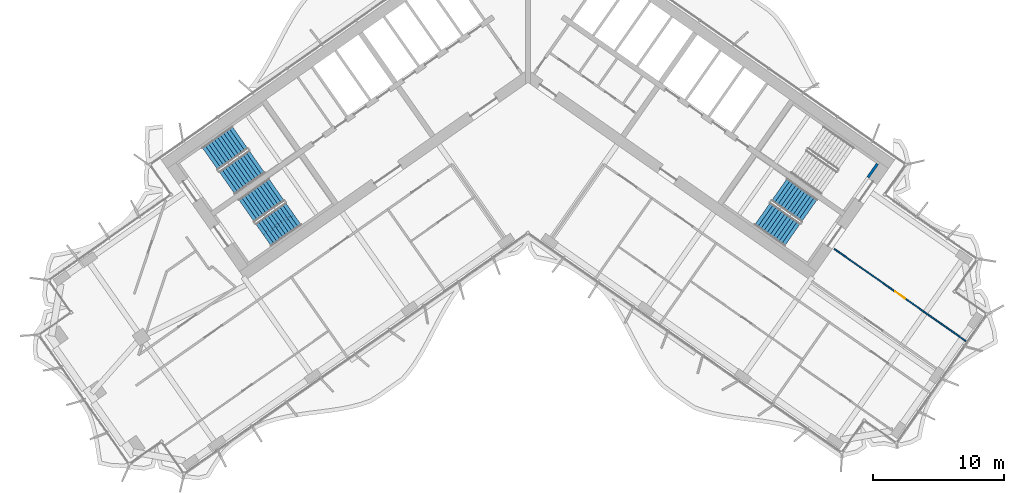
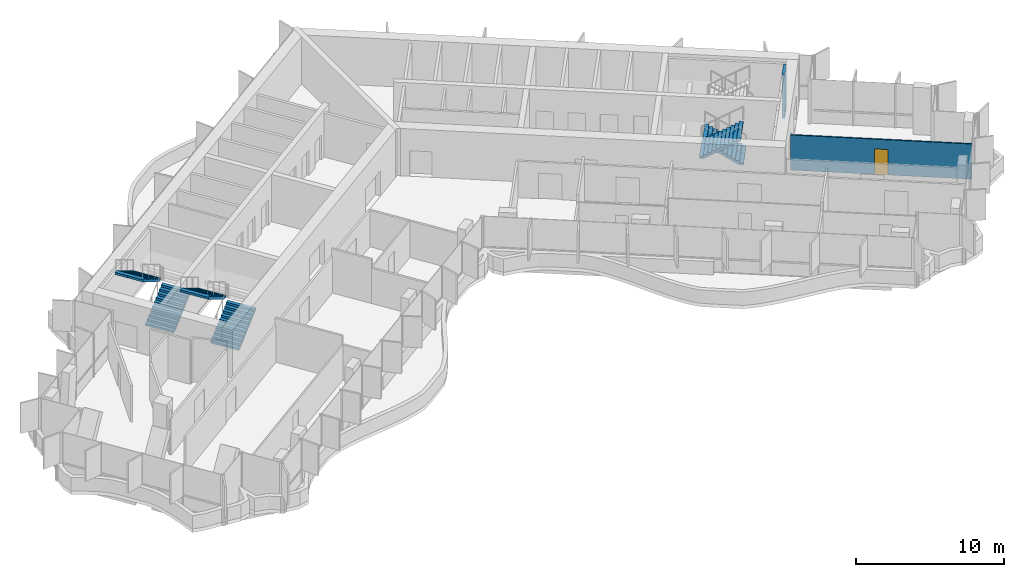
# One storey, part 17 of 23: 6 stair flights, 2 walls, 1 door, 1 opening, 3 elements without a shape of their own.
"""IFC4 building model written with IfcOpenShell, lengths in metres."""

from ifc_helpers import new_model, si_unit, direction, frame, frame_2d, origin, place, context, subcontext, project, spatial, polyline, rectangle, outline, extrude, material, layer, layer_set, type_object, element, fill, aggregate, save


model = new_model("IFC4")

# Units and contexts
model_context = context("Model", 3, precision=1e-05, world=origin(), true_north=direction((0.0, 1.0)))
body_context = subcontext(model_context, "Body", "Model", "MODEL_VIEW")
ifc_project = project(units=[si_unit("LENGTHUNIT", "METRE"), si_unit("AREAUNIT", "SQUARE_METRE"), si_unit("VOLUMEUNIT", "CUBIC_METRE"), si_unit("PLANEANGLEUNIT", "RADIAN"), si_unit("MASSUNIT", "GRAM", prefix="KILO")], contexts=[model_context])

# Site, building, storey
site_placement = place(None, origin())
site = spatial("IfcSite", under=ifc_project, at=site_placement, CompositionType="ELEMENT")
building_placement = place(site_placement, origin())
building = spatial("IfcBuilding", under=site, at=building_placement, Name="Tel Ilan Convention Tower", CompositionType="ELEMENT")
storey_placement = place(building_placement, frame((0.0, 0.0, 198.300048828125)))
storey = spatial("IfcBuildingStorey", under=building, at=storey_placement, Name="L46", CompositionType="ELEMENT", Elevation=198.300048828125)

# Wall, opening, door
ifc_material_1 = material(Name="Plasterboard on Steel Studs", Category="steel")
ifc_layer_1 = layer(ifc_material_1, 0.10009765625)
ifc_layer_set_1 = layer_set([ifc_layer_1], Name="Plasterboard Partition 100")
wall_type_1 = type_object("IfcWallType", Name="Plasterboard Partition 100", PredefinedType="PARTITIONING", material=ifc_layer_set_1)
wall_1_placement = place(storey_placement, frame((23.363037109375, -13.916259765625, 0.0), z_axis=(0.0, 0.0, 1.0), x_axis=(0.819158127092, -0.57356774911, 0.0)))
wall_1 = element("IfcWall", 1, at=wall_1_placement, inside=storey, type_object=wall_type_1, Name="Partition 010", PredefinedType="PARTITIONING", context=body_context, shape_type="SweptSolid", body=[
    extrude(rectangle(XDim=12.280029296875, YDim=0.10009765625, at=frame_2d((6.14013671875, 0.0))), origin(), (0.0, 0.0, 1.0), 2.89990234375),
])
opening_placement = place(wall_1_placement, frame((5.68994140625, 0.0, 0.0)))
opening = element("IfcOpeningElement", 2, at=opening_placement, cuts=wall_1, Name="Opening L46-015", PredefinedType="OPENING", context=body_context, shape_type="SweptSolid", body=[
    extrude(rectangle(XDim=0.89990234375, YDim=2.10009765625, at=frame_2d((0.449951171875, 1.050048828125))), frame((0.0, 0.06005859375, 0.0), z_axis=(0.0, -1.0, 0.0), x_axis=(1.0, 0.0, 0.0)), (0.0, 0.0, 1.0), 0.1201171875),
])
ifc_material_2 = material(Name="Timber Door Leaf in Steel Frame", Category="steel")
door_type = type_object("IfcDoorType", Name="Room Timber Door 900x2100", OperationType="NOTDEFINED", PredefinedType="DOOR", material=ifc_material_2)
door_placement = place(opening_placement, origin())
door = element("IfcDoor", 3, at=door_placement, inside=storey, type_object=door_type, Name="Door L46-015", OperationType="SINGLE_SWING_RIGHT", OverallHeight=2.10009765625, OverallWidth=0.89990234375, PredefinedType="DOOR", context=body_context, shape_type="SweptSolid", body=[
    extrude(rectangle(XDim=0.89990234375, YDim=2.10009765625, at=frame_2d((0.449951171875, 1.050048828125))), frame((0.0, 0.02490234375, 0.0), z_axis=(0.0, -1.0, 0.0), x_axis=(1.0, 0.0, 0.0)), (0.0, 0.0, 1.0), 0.050048828125),
])
fill(opening, door)

# Wall
ifc_material_3 = material(Name="Concrete C30/37", Category="concrete")
ifc_layer_2 = layer(ifc_material_3, 0.199951171875)
ifc_layer_set_2 = layer_set([ifc_layer_2], Name="Stair and Shaft Lining Wall 200 mm C30/37")
wall_type_2 = type_object("IfcWallType", Name="Stair and Shaft Lining Wall 200 mm C30/37", PredefinedType="SOLIDWALL", material=ifc_layer_set_2)
wall_2_placement = place(storey_placement, frame((25.939697265625, -8.4580078125, 0.0), z_axis=(0.0, 0.0, 1.0), x_axis=(0.573619628835, 0.819121798889, 0.0)))
element("IfcWall", 4, at=wall_2_placement, inside=storey, type_object=wall_type_2, Name="L46 core wall lining-S3-u1-1", PredefinedType="SOLIDWALL", context=body_context, shape_type="SweptSolid", body=[
    extrude(rectangle(XDim=1.25, YDim=0.199951171875, at=frame_2d((0.625, 0.0))), origin(), (0.0, 0.0, 1.0), 3.619873046875),
])

# Stair, stair flights
ifc_material_4 = material(Name="Concrete C40/50", Category="concrete")
stair_type = type_object("IfcStairType", Name="Pressurised Exit Stair 22 risers 177 mm", PredefinedType="HALF_TURN_STAIR", material=ifc_material_4)
stair_1_placement = place(storey_placement, origin())
stair_1 = element("IfcStair", 5, at=stair_1_placement, inside=storey, type_object=stair_type, Name="L46 Pressurised Stair S1", PredefinedType="HALF_TURN_STAIR")
ifc_material_5 = material(Name="Precast Concrete C40/50", Category="concrete")
stair_flight_type = type_object("IfcStairFlightType", Name="Concrete Stair Flight 2100 mm 22 risers 177 mm", PredefinedType="STRAIGHT", material=ifc_material_5)
stair_flight_1_placement = place(storey_placement, frame((-22.9619140625, -8.87548828125, 0.0), z_axis=(0.0, 0.0, 1.0), x_axis=(0.819152044289, 0.573576436351, 0.0)))
stair_flight_1 = element("IfcStairFlight", 6, at=stair_flight_1_placement, type_object=stair_flight_type, Name="S1 flight 1", NumberOfRisers=11, NumberOfTreads=10, PredefinedType="STRAIGHT", RiserHeight=0.177272727, TreadLength=0.28, context=body_context, shape_type="SweptSolid", body=[
    extrude(outline(polyline([(0.0, 0.0), (0.0, 0.17724609375), (0.280029296875, 0.17724609375), (0.280029296875, 0.3544921875), (0.56005859375, 0.3544921875), (0.56005859375, 0.53173828125), (0.840087890625, 0.53173828125), (0.840087890625, 0.708984375), (1.1201171875, 0.708984375), (1.1201171875, 0.886474609375), (1.39990234375, 0.886474609375), (1.39990234375, 1.063720703125), (1.679931640625, 1.063720703125), (1.679931640625, 1.240966796875), (1.9599609375, 1.240966796875), (1.9599609375, 1.418212890625), (2.239990234375, 1.418212890625), (2.239990234375, 1.595458984375), (2.52001953125, 1.595458984375), (2.52001953125, 1.772705078125), (2.800048828125, 1.772705078125), (2.800048828125, 1.949951171875), (2.800048828125, 1.59521484375), (0.2802734375, 0.0), (0.0, 0.0)])), frame((0.0, -0.100341796875, 0.0), z_axis=(0.0, -1.0, 0.0), x_axis=(1.0, 0.0, 0.0)), (0.0, 0.0, 1.0), 0.94970703125),
    extrude(outline(polyline([(0.0, 0.0), (0.0, 0.17724609375), (0.280029296875, 0.17724609375), (0.280029296875, 0.3544921875), (0.56005859375, 0.3544921875), (0.56005859375, 0.53173828125), (0.840087890625, 0.53173828125), (0.840087890625, 0.708984375), (1.1201171875, 0.708984375), (1.1201171875, 0.886474609375), (1.39990234375, 0.886474609375), (1.39990234375, 1.063720703125), (1.679931640625, 1.063720703125), (1.679931640625, 1.240966796875), (1.9599609375, 1.240966796875), (1.9599609375, 1.418212890625), (2.239990234375, 1.418212890625), (2.239990234375, 1.595458984375), (2.52001953125, 1.595458984375), (2.52001953125, 1.772705078125), (2.800048828125, 1.772705078125), (2.800048828125, 1.949951171875), (2.800048828125, 1.59521484375), (0.2802734375, 0.0), (0.0, 0.0)])), frame((0.0, -0.000244140625, 0.0), z_axis=(0.0, -1.0, 0.0), x_axis=(1.0, 0.0, 0.0)), (0.0, 0.0, 1.0), 0.099609375),
    extrude(outline(polyline([(0.0, 0.0), (0.0, 0.17724609375), (0.280029296875, 0.17724609375), (0.280029296875, 0.3544921875), (0.56005859375, 0.3544921875), (0.56005859375, 0.53173828125), (0.840087890625, 0.53173828125), (0.840087890625, 0.708984375), (1.1201171875, 0.708984375), (1.1201171875, 0.886474609375), (1.39990234375, 0.886474609375), (1.39990234375, 1.063720703125), (1.679931640625, 1.063720703125), (1.679931640625, 1.240966796875), (1.9599609375, 1.240966796875), (1.9599609375, 1.418212890625), (2.239990234375, 1.418212890625), (2.239990234375, 1.595458984375), (2.52001953125, 1.595458984375), (2.52001953125, 1.772705078125), (2.800048828125, 1.772705078125), (2.800048828125, 1.949951171875), (2.800048828125, 1.59521484375), (0.2802734375, 0.0), (0.0, 0.0)])), frame((0.0, 0.099853515625, 0.0), z_axis=(0.0, -1.0, 0.0), x_axis=(1.0, 0.0, 0.0)), (0.0, 0.0, 1.0), 0.099609375),
    extrude(outline(polyline([(0.0, 0.0), (0.0, 0.17724609375), (0.280029296875, 0.17724609375), (0.280029296875, 0.3544921875), (0.56005859375, 0.3544921875), (0.56005859375, 0.53173828125), (0.840087890625, 0.53173828125), (0.840087890625, 0.708984375), (1.1201171875, 0.708984375), (1.1201171875, 0.886474609375), (1.39990234375, 0.886474609375), (1.39990234375, 1.063720703125), (1.679931640625, 1.063720703125), (1.679931640625, 1.240966796875), (1.9599609375, 1.240966796875), (1.9599609375, 1.418212890625), (2.239990234375, 1.418212890625), (2.239990234375, 1.595458984375), (2.52001953125, 1.595458984375), (2.52001953125, 1.772705078125), (2.800048828125, 1.772705078125), (2.800048828125, 1.949951171875), (2.800048828125, 1.59521484375), (0.2802734375, 0.0), (0.0, 0.0)])), frame((0.0, 1.050048828125, 0.0), z_axis=(0.0, -1.0, 0.0), x_axis=(1.0, 0.0, 0.0)), (0.0, 0.0, 1.0), 0.94970703125),
])
stair_flight_2_placement = place(storey_placement, frame((-21.958740234375, -5.42626953125, 1.949951171875), z_axis=(0.0, 0.0, 1.0), x_axis=(-0.819152044289, -0.573576436351, 0.0)))
stair_flight_2 = element("IfcStairFlight", 7, at=stair_flight_2_placement, type_object=stair_flight_type, Name="S1 flight 2", NumberOfRisers=11, NumberOfTreads=10, PredefinedType="STRAIGHT", RiserHeight=0.177272727, TreadLength=0.28, context=body_context, shape_type="SweptSolid", body=[
    extrude(outline(polyline([(0.0, 0.0), (0.0, 0.17724609375), (0.280029296875, 0.17724609375), (0.280029296875, 0.3544921875), (0.56005859375, 0.3544921875), (0.56005859375, 0.53173828125), (0.840087890625, 0.53173828125), (0.840087890625, 0.708984375), (1.1201171875, 0.708984375), (1.1201171875, 0.886474609375), (1.39990234375, 0.886474609375), (1.39990234375, 1.063720703125), (1.679931640625, 1.063720703125), (1.679931640625, 1.240966796875), (1.9599609375, 1.240966796875), (1.9599609375, 1.418212890625), (2.239990234375, 1.418212890625), (2.239990234375, 1.595458984375), (2.52001953125, 1.595458984375), (2.52001953125, 1.772705078125), (2.800048828125, 1.772705078125), (2.800048828125, 1.949951171875), (2.800048828125, 1.59521484375), (0.2802734375, 0.0), (0.0, 0.0)])), frame((0.0, -0.100341796875, 0.0), z_axis=(0.0, -1.0, 0.0), x_axis=(1.0, 0.0, 0.0)), (0.0, 0.0, 1.0), 0.94970703125),
    extrude(outline(polyline([(0.0, 0.0), (0.0, 0.17724609375), (0.280029296875, 0.17724609375), (0.280029296875, 0.3544921875), (0.56005859375, 0.3544921875), (0.56005859375, 0.53173828125), (0.840087890625, 0.53173828125), (0.840087890625, 0.708984375), (1.1201171875, 0.708984375), (1.1201171875, 0.886474609375), (1.39990234375, 0.886474609375), (1.39990234375, 1.063720703125), (1.679931640625, 1.063720703125), (1.679931640625, 1.240966796875), (1.9599609375, 1.240966796875), (1.9599609375, 1.418212890625), (2.239990234375, 1.418212890625), (2.239990234375, 1.595458984375), (2.52001953125, 1.595458984375), (2.52001953125, 1.772705078125), (2.800048828125, 1.772705078125), (2.800048828125, 1.949951171875), (2.800048828125, 1.59521484375), (0.2802734375, 0.0), (0.0, 0.0)])), frame((0.0, -0.000244140625, 0.0), z_axis=(0.0, -1.0, 0.0), x_axis=(1.0, 0.0, 0.0)), (0.0, 0.0, 1.0), 0.099609375),
    extrude(outline(polyline([(0.0, 0.0), (0.0, 0.17724609375), (0.280029296875, 0.17724609375), (0.280029296875, 0.3544921875), (0.56005859375, 0.3544921875), (0.56005859375, 0.53173828125), (0.840087890625, 0.53173828125), (0.840087890625, 0.708984375), (1.1201171875, 0.708984375), (1.1201171875, 0.886474609375), (1.39990234375, 0.886474609375), (1.39990234375, 1.063720703125), (1.679931640625, 1.063720703125), (1.679931640625, 1.240966796875), (1.9599609375, 1.240966796875), (1.9599609375, 1.418212890625), (2.239990234375, 1.418212890625), (2.239990234375, 1.595458984375), (2.52001953125, 1.595458984375), (2.52001953125, 1.772705078125), (2.800048828125, 1.772705078125), (2.800048828125, 1.949951171875), (2.800048828125, 1.59521484375), (0.2802734375, 0.0), (0.0, 0.0)])), frame((0.0, 0.099853515625, 0.0), z_axis=(0.0, -1.0, 0.0), x_axis=(1.0, 0.0, 0.0)), (0.0, 0.0, 1.0), 0.099609375),
    extrude(outline(polyline([(0.0, 0.0), (0.0, 0.17724609375), (0.280029296875, 0.17724609375), (0.280029296875, 0.3544921875), (0.56005859375, 0.3544921875), (0.56005859375, 0.53173828125), (0.840087890625, 0.53173828125), (0.840087890625, 0.708984375), (1.1201171875, 0.708984375), (1.1201171875, 0.886474609375), (1.39990234375, 0.886474609375), (1.39990234375, 1.063720703125), (1.679931640625, 1.063720703125), (1.679931640625, 1.240966796875), (1.9599609375, 1.240966796875), (1.9599609375, 1.418212890625), (2.239990234375, 1.418212890625), (2.239990234375, 1.595458984375), (2.52001953125, 1.595458984375), (2.52001953125, 1.772705078125), (2.800048828125, 1.772705078125), (2.800048828125, 1.949951171875), (2.800048828125, 1.59521484375), (0.2802734375, 0.0), (0.0, 0.0)])), frame((0.0, 1.050048828125, 0.0), z_axis=(0.0, -1.0, 0.0), x_axis=(1.0, 0.0, 0.0)), (0.0, 0.0, 1.0), 0.94970703125),
])
aggregate(stair_1, [stair_flight_1, stair_flight_2])

stair_2_placement = place(storey_placement, origin())
stair_2 = element("IfcStair", 8, at=stair_2_placement, inside=storey, type_object=stair_type, Name="L46 Pressurised Stair S2", PredefinedType="HALF_TURN_STAIR")
stair_flight_3_placement = place(storey_placement, frame((-20.179931640625, -12.848388671875, 0.0), z_axis=(0.0, 0.0, 1.0), x_axis=(0.819152044289, 0.573576436351, 0.0)))
stair_flight_3 = element("IfcStairFlight", 9, at=stair_flight_3_placement, type_object=stair_flight_type, Name="S2 flight 1", NumberOfRisers=11, NumberOfTreads=10, PredefinedType="STRAIGHT", RiserHeight=0.177272727, TreadLength=0.28, context=body_context, shape_type="SweptSolid", body=[
    extrude(outline(polyline([(0.0, 0.0), (0.0, 0.17724609375), (0.280029296875, 0.17724609375), (0.280029296875, 0.3544921875), (0.56005859375, 0.3544921875), (0.56005859375, 0.53173828125), (0.840087890625, 0.53173828125), (0.840087890625, 0.708984375), (1.1201171875, 0.708984375), (1.1201171875, 0.886474609375), (1.39990234375, 0.886474609375), (1.39990234375, 1.063720703125), (1.679931640625, 1.063720703125), (1.679931640625, 1.240966796875), (1.9599609375, 1.240966796875), (1.9599609375, 1.418212890625), (2.239990234375, 1.418212890625), (2.239990234375, 1.595458984375), (2.52001953125, 1.595458984375), (2.52001953125, 1.772705078125), (2.800048828125, 1.772705078125), (2.800048828125, 1.949951171875), (2.800048828125, 1.59521484375), (0.2802734375, 0.0), (0.0, 0.0)])), frame((0.0, -0.100341796875, 0.0), z_axis=(0.0, -1.0, 0.0), x_axis=(1.0, 0.0, 0.0)), (0.0, 0.0, 1.0), 0.94970703125),
    extrude(outline(polyline([(0.0, 0.0), (0.0, 0.17724609375), (0.280029296875, 0.17724609375), (0.280029296875, 0.3544921875), (0.56005859375, 0.3544921875), (0.56005859375, 0.53173828125), (0.840087890625, 0.53173828125), (0.840087890625, 0.708984375), (1.1201171875, 0.708984375), (1.1201171875, 0.886474609375), (1.39990234375, 0.886474609375), (1.39990234375, 1.063720703125), (1.679931640625, 1.063720703125), (1.679931640625, 1.240966796875), (1.9599609375, 1.240966796875), (1.9599609375, 1.418212890625), (2.239990234375, 1.418212890625), (2.239990234375, 1.595458984375), (2.52001953125, 1.595458984375), (2.52001953125, 1.772705078125), (2.800048828125, 1.772705078125), (2.800048828125, 1.949951171875), (2.800048828125, 1.59521484375), (0.2802734375, 0.0), (0.0, 0.0)])), frame((0.0, -0.000244140625, 0.0), z_axis=(0.0, -1.0, 0.0), x_axis=(1.0, 0.0, 0.0)), (0.0, 0.0, 1.0), 0.099609375),
    extrude(outline(polyline([(0.0, 0.0), (0.0, 0.17724609375), (0.280029296875, 0.17724609375), (0.280029296875, 0.3544921875), (0.56005859375, 0.3544921875), (0.56005859375, 0.53173828125), (0.840087890625, 0.53173828125), (0.840087890625, 0.708984375), (1.1201171875, 0.708984375), (1.1201171875, 0.886474609375), (1.39990234375, 0.886474609375), (1.39990234375, 1.063720703125), (1.679931640625, 1.063720703125), (1.679931640625, 1.240966796875), (1.9599609375, 1.240966796875), (1.9599609375, 1.418212890625), (2.239990234375, 1.418212890625), (2.239990234375, 1.595458984375), (2.52001953125, 1.595458984375), (2.52001953125, 1.772705078125), (2.800048828125, 1.772705078125), (2.800048828125, 1.949951171875), (2.800048828125, 1.59521484375), (0.2802734375, 0.0), (0.0, 0.0)])), frame((0.0, 0.099853515625, 0.0), z_axis=(0.0, -1.0, 0.0), x_axis=(1.0, 0.0, 0.0)), (0.0, 0.0, 1.0), 0.099609375),
    extrude(outline(polyline([(0.0, 0.0), (0.0, 0.17724609375), (0.280029296875, 0.17724609375), (0.280029296875, 0.3544921875), (0.56005859375, 0.3544921875), (0.56005859375, 0.53173828125), (0.840087890625, 0.53173828125), (0.840087890625, 0.708984375), (1.1201171875, 0.708984375), (1.1201171875, 0.886474609375), (1.39990234375, 0.886474609375), (1.39990234375, 1.063720703125), (1.679931640625, 1.063720703125), (1.679931640625, 1.240966796875), (1.9599609375, 1.240966796875), (1.9599609375, 1.418212890625), (2.239990234375, 1.418212890625), (2.239990234375, 1.595458984375), (2.52001953125, 1.595458984375), (2.52001953125, 1.772705078125), (2.800048828125, 1.772705078125), (2.800048828125, 1.949951171875), (2.800048828125, 1.59521484375), (0.2802734375, 0.0), (0.0, 0.0)])), frame((0.0, 1.050048828125, 0.0), z_axis=(0.0, -1.0, 0.0), x_axis=(1.0, 0.0, 0.0)), (0.0, 0.0, 1.0), 0.94970703125),
])
stair_flight_4_placement = place(storey_placement, frame((-19.177001953125, -9.399169921875, 1.949951171875), z_axis=(0.0, 0.0, 1.0), x_axis=(-0.819152044289, -0.573576436351, 0.0)))
stair_flight_4 = element("IfcStairFlight", 10, at=stair_flight_4_placement, type_object=stair_flight_type, Name="S2 flight 2", NumberOfRisers=11, NumberOfTreads=10, PredefinedType="STRAIGHT", RiserHeight=0.177272727, TreadLength=0.28, context=body_context, shape_type="SweptSolid", body=[
    extrude(outline(polyline([(0.0, 0.0), (0.0, 0.17724609375), (0.280029296875, 0.17724609375), (0.280029296875, 0.3544921875), (0.56005859375, 0.3544921875), (0.56005859375, 0.53173828125), (0.840087890625, 0.53173828125), (0.840087890625, 0.708984375), (1.1201171875, 0.708984375), (1.1201171875, 0.886474609375), (1.39990234375, 0.886474609375), (1.39990234375, 1.063720703125), (1.679931640625, 1.063720703125), (1.679931640625, 1.240966796875), (1.9599609375, 1.240966796875), (1.9599609375, 1.418212890625), (2.239990234375, 1.418212890625), (2.239990234375, 1.595458984375), (2.52001953125, 1.595458984375), (2.52001953125, 1.772705078125), (2.800048828125, 1.772705078125), (2.800048828125, 1.949951171875), (2.800048828125, 1.59521484375), (0.2802734375, 0.0), (0.0, 0.0)])), frame((0.0, -0.100341796875, 0.0), z_axis=(0.0, -1.0, 0.0), x_axis=(1.0, 0.0, 0.0)), (0.0, 0.0, 1.0), 0.94970703125),
    extrude(outline(polyline([(0.0, 0.0), (0.0, 0.17724609375), (0.280029296875, 0.17724609375), (0.280029296875, 0.3544921875), (0.56005859375, 0.3544921875), (0.56005859375, 0.53173828125), (0.840087890625, 0.53173828125), (0.840087890625, 0.708984375), (1.1201171875, 0.708984375), (1.1201171875, 0.886474609375), (1.39990234375, 0.886474609375), (1.39990234375, 1.063720703125), (1.679931640625, 1.063720703125), (1.679931640625, 1.240966796875), (1.9599609375, 1.240966796875), (1.9599609375, 1.418212890625), (2.239990234375, 1.418212890625), (2.239990234375, 1.595458984375), (2.52001953125, 1.595458984375), (2.52001953125, 1.772705078125), (2.800048828125, 1.772705078125), (2.800048828125, 1.949951171875), (2.800048828125, 1.59521484375), (0.2802734375, 0.0), (0.0, 0.0)])), frame((0.0, -0.000244140625, 0.0), z_axis=(0.0, -1.0, 0.0), x_axis=(1.0, 0.0, 0.0)), (0.0, 0.0, 1.0), 0.099609375),
    extrude(outline(polyline([(0.0, 0.0), (0.0, 0.17724609375), (0.280029296875, 0.17724609375), (0.280029296875, 0.3544921875), (0.56005859375, 0.3544921875), (0.56005859375, 0.53173828125), (0.840087890625, 0.53173828125), (0.840087890625, 0.708984375), (1.1201171875, 0.708984375), (1.1201171875, 0.886474609375), (1.39990234375, 0.886474609375), (1.39990234375, 1.063720703125), (1.679931640625, 1.063720703125), (1.679931640625, 1.240966796875), (1.9599609375, 1.240966796875), (1.9599609375, 1.418212890625), (2.239990234375, 1.418212890625), (2.239990234375, 1.595458984375), (2.52001953125, 1.595458984375), (2.52001953125, 1.772705078125), (2.800048828125, 1.772705078125), (2.800048828125, 1.949951171875), (2.800048828125, 1.59521484375), (0.2802734375, 0.0), (0.0, 0.0)])), frame((0.0, 0.099853515625, 0.0), z_axis=(0.0, -1.0, 0.0), x_axis=(1.0, 0.0, 0.0)), (0.0, 0.0, 1.0), 0.099609375),
    extrude(outline(polyline([(0.0, 0.0), (0.0, 0.17724609375), (0.280029296875, 0.17724609375), (0.280029296875, 0.3544921875), (0.56005859375, 0.3544921875), (0.56005859375, 0.53173828125), (0.840087890625, 0.53173828125), (0.840087890625, 0.708984375), (1.1201171875, 0.708984375), (1.1201171875, 0.886474609375), (1.39990234375, 0.886474609375), (1.39990234375, 1.063720703125), (1.679931640625, 1.063720703125), (1.679931640625, 1.240966796875), (1.9599609375, 1.240966796875), (1.9599609375, 1.418212890625), (2.239990234375, 1.418212890625), (2.239990234375, 1.595458984375), (2.52001953125, 1.595458984375), (2.52001953125, 1.772705078125), (2.800048828125, 1.772705078125), (2.800048828125, 1.949951171875), (2.800048828125, 1.59521484375), (0.2802734375, 0.0), (0.0, 0.0)])), frame((0.0, 1.050048828125, 0.0), z_axis=(0.0, -1.0, 0.0), x_axis=(1.0, 0.0, 0.0)), (0.0, 0.0, 1.0), 0.94970703125),
])
aggregate(stair_2, [stair_flight_3, stair_flight_4])

stair_3_placement = place(storey_placement, origin())
stair_3 = element("IfcStair", 11, at=stair_3_placement, inside=storey, type_object=stair_type, Name="L46 Pressurised Stair S4", PredefinedType="HALF_TURN_STAIR")
stair_flight_5_placement = place(storey_placement, frame((21.470458984375, -11.00537109375, 0.0), z_axis=(0.0, 0.0, 1.0), x_axis=(-0.819152044289, 0.573576436351, 0.0)))
stair_flight_5 = element("IfcStairFlight", 12, at=stair_flight_5_placement, type_object=stair_flight_type, Name="S4 flight 1", NumberOfRisers=11, NumberOfTreads=10, PredefinedType="STRAIGHT", RiserHeight=0.177272727, TreadLength=0.28, context=body_context, shape_type="SweptSolid", body=[
    extrude(outline(polyline([(0.0, 0.0), (0.0, 0.17724609375), (0.280029296875, 0.17724609375), (0.280029296875, 0.3544921875), (0.56005859375, 0.3544921875), (0.56005859375, 0.53173828125), (0.840087890625, 0.53173828125), (0.840087890625, 0.708984375), (1.1201171875, 0.708984375), (1.1201171875, 0.886474609375), (1.39990234375, 0.886474609375), (1.39990234375, 1.063720703125), (1.679931640625, 1.063720703125), (1.679931640625, 1.240966796875), (1.9599609375, 1.240966796875), (1.9599609375, 1.418212890625), (2.239990234375, 1.418212890625), (2.239990234375, 1.595458984375), (2.52001953125, 1.595458984375), (2.52001953125, 1.772705078125), (2.800048828125, 1.772705078125), (2.800048828125, 1.949951171875), (2.800048828125, 1.59521484375), (0.2802734375, 0.0), (0.0, 0.0)])), frame((0.0, -0.100341796875, 0.0), z_axis=(0.0, -1.0, 0.0), x_axis=(1.0, 0.0, 0.0)), (0.0, 0.0, 1.0), 0.94970703125),
    extrude(outline(polyline([(0.0, 0.0), (0.0, 0.17724609375), (0.280029296875, 0.17724609375), (0.280029296875, 0.3544921875), (0.56005859375, 0.3544921875), (0.56005859375, 0.53173828125), (0.840087890625, 0.53173828125), (0.840087890625, 0.708984375), (1.1201171875, 0.708984375), (1.1201171875, 0.886474609375), (1.39990234375, 0.886474609375), (1.39990234375, 1.063720703125), (1.679931640625, 1.063720703125), (1.679931640625, 1.240966796875), (1.9599609375, 1.240966796875), (1.9599609375, 1.418212890625), (2.239990234375, 1.418212890625), (2.239990234375, 1.595458984375), (2.52001953125, 1.595458984375), (2.52001953125, 1.772705078125), (2.800048828125, 1.772705078125), (2.800048828125, 1.949951171875), (2.800048828125, 1.59521484375), (0.2802734375, 0.0), (0.0, 0.0)])), frame((0.0, -0.000244140625, 0.0), z_axis=(0.0, -1.0, 0.0), x_axis=(1.0, 0.0, 0.0)), (0.0, 0.0, 1.0), 0.099609375),
    extrude(outline(polyline([(0.0, 0.0), (0.0, 0.17724609375), (0.280029296875, 0.17724609375), (0.280029296875, 0.3544921875), (0.56005859375, 0.3544921875), (0.56005859375, 0.53173828125), (0.840087890625, 0.53173828125), (0.840087890625, 0.708984375), (1.1201171875, 0.708984375), (1.1201171875, 0.886474609375), (1.39990234375, 0.886474609375), (1.39990234375, 1.063720703125), (1.679931640625, 1.063720703125), (1.679931640625, 1.240966796875), (1.9599609375, 1.240966796875), (1.9599609375, 1.418212890625), (2.239990234375, 1.418212890625), (2.239990234375, 1.595458984375), (2.52001953125, 1.595458984375), (2.52001953125, 1.772705078125), (2.800048828125, 1.772705078125), (2.800048828125, 1.949951171875), (2.800048828125, 1.59521484375), (0.2802734375, 0.0), (0.0, 0.0)])), frame((0.0, 0.099853515625, 0.0), z_axis=(0.0, -1.0, 0.0), x_axis=(1.0, 0.0, 0.0)), (0.0, 0.0, 1.0), 0.099609375),
    extrude(outline(polyline([(0.0, 0.0), (0.0, 0.17724609375), (0.280029296875, 0.17724609375), (0.280029296875, 0.3544921875), (0.56005859375, 0.3544921875), (0.56005859375, 0.53173828125), (0.840087890625, 0.53173828125), (0.840087890625, 0.708984375), (1.1201171875, 0.708984375), (1.1201171875, 0.886474609375), (1.39990234375, 0.886474609375), (1.39990234375, 1.063720703125), (1.679931640625, 1.063720703125), (1.679931640625, 1.240966796875), (1.9599609375, 1.240966796875), (1.9599609375, 1.418212890625), (2.239990234375, 1.418212890625), (2.239990234375, 1.595458984375), (2.52001953125, 1.595458984375), (2.52001953125, 1.772705078125), (2.800048828125, 1.772705078125), (2.800048828125, 1.949951171875), (2.800048828125, 1.59521484375), (0.2802734375, 0.0), (0.0, 0.0)])), frame((0.0, 1.050048828125, 0.0), z_axis=(0.0, -1.0, 0.0), x_axis=(1.0, 0.0, 0.0)), (0.0, 0.0, 1.0), 0.94970703125),
])
stair_flight_6_placement = place(storey_placement, frame((17.886474609375, -11.242431640625, 1.949951171875), z_axis=(0.0, 0.0, 1.0), x_axis=(0.819152044289, -0.573576436351, 0.0)))
stair_flight_6 = element("IfcStairFlight", 13, at=stair_flight_6_placement, type_object=stair_flight_type, Name="S4 flight 2", NumberOfRisers=11, NumberOfTreads=10, PredefinedType="STRAIGHT", RiserHeight=0.177272727, TreadLength=0.28, context=body_context, shape_type="SweptSolid", body=[
    extrude(outline(polyline([(0.0, 0.0), (0.0, 0.17724609375), (0.280029296875, 0.17724609375), (0.280029296875, 0.3544921875), (0.56005859375, 0.3544921875), (0.56005859375, 0.53173828125), (0.840087890625, 0.53173828125), (0.840087890625, 0.708984375), (1.1201171875, 0.708984375), (1.1201171875, 0.886474609375), (1.39990234375, 0.886474609375), (1.39990234375, 1.063720703125), (1.679931640625, 1.063720703125), (1.679931640625, 1.240966796875), (1.9599609375, 1.240966796875), (1.9599609375, 1.418212890625), (2.239990234375, 1.418212890625), (2.239990234375, 1.595458984375), (2.52001953125, 1.595458984375), (2.52001953125, 1.772705078125), (2.800048828125, 1.772705078125), (2.800048828125, 1.949951171875), (2.800048828125, 1.59521484375), (0.2802734375, 0.0), (0.0, 0.0)])), frame((0.0, -0.100341796875, 0.0), z_axis=(0.0, -1.0, 0.0), x_axis=(1.0, 0.0, 0.0)), (0.0, 0.0, 1.0), 0.94970703125),
    extrude(outline(polyline([(0.0, 0.0), (0.0, 0.17724609375), (0.280029296875, 0.17724609375), (0.280029296875, 0.3544921875), (0.56005859375, 0.3544921875), (0.56005859375, 0.53173828125), (0.840087890625, 0.53173828125), (0.840087890625, 0.708984375), (1.1201171875, 0.708984375), (1.1201171875, 0.886474609375), (1.39990234375, 0.886474609375), (1.39990234375, 1.063720703125), (1.679931640625, 1.063720703125), (1.679931640625, 1.240966796875), (1.9599609375, 1.240966796875), (1.9599609375, 1.418212890625), (2.239990234375, 1.418212890625), (2.239990234375, 1.595458984375), (2.52001953125, 1.595458984375), (2.52001953125, 1.772705078125), (2.800048828125, 1.772705078125), (2.800048828125, 1.949951171875), (2.800048828125, 1.59521484375), (0.2802734375, 0.0), (0.0, 0.0)])), frame((0.0, -0.000244140625, 0.0), z_axis=(0.0, -1.0, 0.0), x_axis=(1.0, 0.0, 0.0)), (0.0, 0.0, 1.0), 0.099609375),
    extrude(outline(polyline([(0.0, 0.0), (0.0, 0.17724609375), (0.280029296875, 0.17724609375), (0.280029296875, 0.3544921875), (0.56005859375, 0.3544921875), (0.56005859375, 0.53173828125), (0.840087890625, 0.53173828125), (0.840087890625, 0.708984375), (1.1201171875, 0.708984375), (1.1201171875, 0.886474609375), (1.39990234375, 0.886474609375), (1.39990234375, 1.063720703125), (1.679931640625, 1.063720703125), (1.679931640625, 1.240966796875), (1.9599609375, 1.240966796875), (1.9599609375, 1.418212890625), (2.239990234375, 1.418212890625), (2.239990234375, 1.595458984375), (2.52001953125, 1.595458984375), (2.52001953125, 1.772705078125), (2.800048828125, 1.772705078125), (2.800048828125, 1.949951171875), (2.800048828125, 1.59521484375), (0.2802734375, 0.0), (0.0, 0.0)])), frame((0.0, 0.099853515625, 0.0), z_axis=(0.0, -1.0, 0.0), x_axis=(1.0, 0.0, 0.0)), (0.0, 0.0, 1.0), 0.099609375),
    extrude(outline(polyline([(0.0, 0.0), (0.0, 0.17724609375), (0.280029296875, 0.17724609375), (0.280029296875, 0.3544921875), (0.56005859375, 0.3544921875), (0.56005859375, 0.53173828125), (0.840087890625, 0.53173828125), (0.840087890625, 0.708984375), (1.1201171875, 0.708984375), (1.1201171875, 0.886474609375), (1.39990234375, 0.886474609375), (1.39990234375, 1.063720703125), (1.679931640625, 1.063720703125), (1.679931640625, 1.240966796875), (1.9599609375, 1.240966796875), (1.9599609375, 1.418212890625), (2.239990234375, 1.418212890625), (2.239990234375, 1.595458984375), (2.52001953125, 1.595458984375), (2.52001953125, 1.772705078125), (2.800048828125, 1.772705078125), (2.800048828125, 1.949951171875), (2.800048828125, 1.59521484375), (0.2802734375, 0.0), (0.0, 0.0)])), frame((0.0, 1.050048828125, 0.0), z_axis=(0.0, -1.0, 0.0), x_axis=(1.0, 0.0, 0.0)), (0.0, 0.0, 1.0), 0.94970703125),
])
aggregate(stair_3, [stair_flight_5, stair_flight_6])

save(model, "model.ifc")
